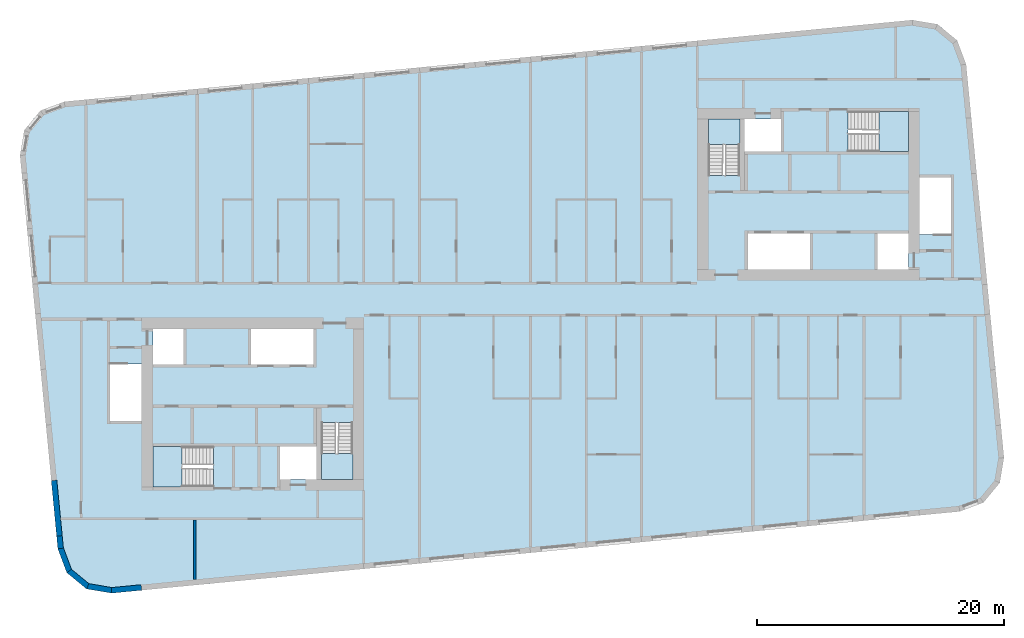
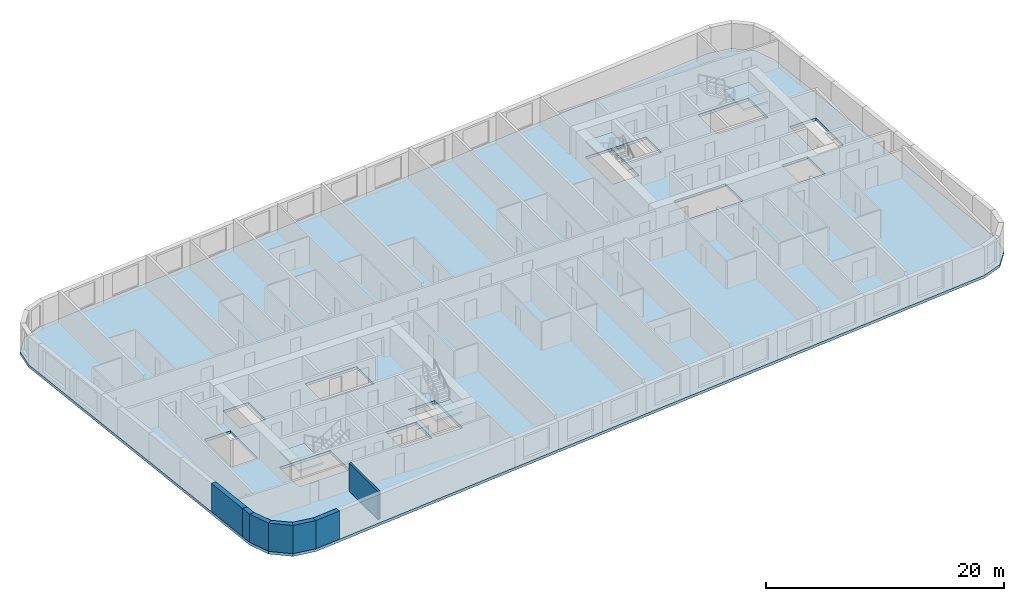
# One storey, part 1 of 11: 7 walls, 5 slabs, 4 elements without a shape of their own.
"""IFC4 building model written with IfcOpenShell, lengths in metres."""

from ifc_helpers import new_model, si_unit, direction, frame, frame_2d, origin, place, context, subcontext, project, spatial, polyline, rectangle, outline, extrude, material, layer, layer_set, type_object, element, aggregate, save


model = new_model("IFC4")

# Units and contexts
model_context = context("Model", 3, precision=1e-05, world=origin(), true_north=direction((0.0, 1.0)))
body_context = subcontext(model_context, "Body", "Model", "MODEL_VIEW")
ifc_project = project(units=[si_unit("LENGTHUNIT", "METRE"), si_unit("AREAUNIT", "SQUARE_METRE"), si_unit("VOLUMEUNIT", "CUBIC_METRE"), si_unit("PLANEANGLEUNIT", "RADIAN"), si_unit("MASSUNIT", "GRAM", prefix="KILO")], contexts=[model_context])

# Site, building, storey
site_placement = place(None, origin())
site = spatial("IfcSite", under=ifc_project, at=site_placement, CompositionType="ELEMENT")
building_placement = place(site_placement, origin())
building = spatial("IfcBuilding", under=site, at=building_placement, Name="Kajstack Hotel Tower", CompositionType="ELEMENT")
storey_placement = place(building_placement, frame((0.0, 0.0, 304.800048828125)))
storey = spatial("IfcBuildingStorey", under=building, at=storey_placement, Name="L77", CompositionType="ELEMENT", Elevation=304.800048828125)

# Slab
ifc_material_1 = material(Name="Concrete C40/50", Category="concrete")
ifc_layer_1 = layer(ifc_material_1, 0.280029296875)
ifc_layer_set_1 = layer_set([ifc_layer_1], Name="RC slab 280 C40/50 guest")
slab_type_1 = type_object("IfcSlabType", Name="RC slab 280 C40/50 guest", PredefinedType="FLOOR", material=ifc_layer_set_1)
slab_1_placement = place(storey_placement, frame((0.0, 0.0, -0.280029296875)))
element("IfcSlab", 1, at=slab_1_placement, inside=storey, type_object=slab_type_1, Name="S-slab-L77", PredefinedType="FLOOR", context=body_context, shape_type="SweptSolid", body=[
    extrude(outline(polyline([(-41.356201171875, 11.63623046875), (-38.289306640625, -20.21630859375), (-37.564208984375, -22.15576171875), (-35.96630859375, -23.472900390625), (-33.92431640625, -23.814697265625), (34.758056640625, -17.201171875), (36.697509765625, -16.47607421875), (38.014404296875, -14.87841796875), (38.356201171875, -12.836181640625), (35.289306640625, 19.016357421875), (34.564208984375, 20.955810546875), (32.96630859375, 22.27294921875), (30.92431640625, 22.614501953125), (-37.758056640625, 16.001220703125), (-39.697509765625, 15.276123046875), (-41.014404296875, 13.678466796875), (-41.356201171875, 11.63623046875)]), holes=[polyline([(-22.64990234375, -5.300048828125), (-22.64990234375, -2.39990234375), (-17.60009765625, -2.39990234375), (-17.60009765625, -5.300048828125), (-22.64990234375, -5.300048828125)]), polyline([(-20.300048828125, -14.60009765625), (-17.35009765625, -14.60009765625), (-17.35009765625, -11.949951171875), (-20.300048828125, -11.949951171875), (-20.300048828125, -14.60009765625)]), polyline([(-30.60009765625, -5.300048828125), (-28.10009765625, -5.300048828125), (-28.10009765625, -2.39990234375), (-30.60009765625, -2.39990234375), (-30.60009765625, -5.300048828125)]), polyline([(17.60009765625, 2.39990234375), (17.60009765625, 5.300048828125), (22.64990234375, 5.300048828125), (22.64990234375, 2.39990234375), (17.60009765625, 2.39990234375)]), polyline([(20.300048828125, 14.60009765625), (17.35009765625, 14.60009765625), (17.35009765625, 11.949951171875), (20.300048828125, 11.949951171875), (20.300048828125, 14.60009765625)]), polyline([(30.60009765625, 5.300048828125), (28.10009765625, 5.300048828125), (28.10009765625, 2.39990234375), (30.60009765625, 2.39990234375), (30.60009765625, 5.300048828125)]), polyline([(-34.050048828125, -9.85009765625), (-31.5, -9.85009765625), (-31.5, -5.25), (-34.050048828125, -5.25), (-34.050048828125, -9.85009765625)]), polyline([(-16.949951171875, -14.60009765625), (-14.39990234375, -14.60009765625), (-14.39990234375, -10.0), (-16.949951171875, -10.0), (-16.949951171875, -14.60009765625)]), polyline([(-30.60009765625, -15.199951171875), (-25.699951171875, -15.199951171875), (-25.699951171875, -11.949951171875), (-30.60009765625, -11.949951171875), (-30.60009765625, -15.199951171875)]), polyline([(34.050048828125, 9.85009765625), (31.5, 9.85009765625), (31.5, 5.25), (34.050048828125, 5.25), (34.050048828125, 9.85009765625)]), polyline([(16.949951171875, 14.60009765625), (14.39990234375, 14.60009765625), (14.39990234375, 10.0), (16.949951171875, 10.0), (16.949951171875, 14.60009765625)]), polyline([(30.60009765625, 15.199951171875), (25.699951171875, 15.199951171875), (25.699951171875, 11.949951171875), (30.60009765625, 11.949951171875), (30.60009765625, 15.199951171875)])]), origin(), (0.0, 0.0, 1.0), 0.280029296875),
])

# Stair, slab
stair_type_1 = type_object("IfcStairType", Name="Exit stair 1200", PredefinedType="HALF_TURN_STAIR", material=ifc_material_1)
stair_1_placement = place(storey_placement, origin())
stair_1 = element("IfcStair", 2, at=stair_1_placement, inside=storey, type_object=stair_type_1, Name="L77 stair W2", PredefinedType="HALF_TURN_STAIR")
ifc_layer_2 = layer(ifc_material_1, 0.199951171875)
ifc_layer_set_2 = layer_set([ifc_layer_2], Name="Stair landing 200")
slab_type_2 = type_object("IfcSlabType", Name="Stair landing 200", PredefinedType="LANDING", material=ifc_layer_set_2)
slab_2_placement = place(storey_placement, frame((0.0, 0.0, 1.449951171875)))
slab_2 = element("IfcSlab", 3, at=slab_2_placement, type_object=slab_type_2, Name="W2 landing 1", PredefinedType="LANDING", context=body_context, shape_type="SweptSolid", body=[
    extrude(outline(polyline([(-16.949951171875, -12.52001953125), (-16.949951171875, -14.60009765625), (-14.39990234375, -14.60009765625), (-14.39990234375, -12.52001953125), (-16.949951171875, -12.52001953125)])), origin(), (0.0, 0.0, 1.0), 0.199951171875),
])
aggregate(stair_1, [slab_2])

stair_type_2 = type_object("IfcStairType", Name="Exit stair 1500", PredefinedType="HALF_TURN_STAIR", material=ifc_material_1)
stair_2_placement = place(storey_placement, origin())
stair_2 = element("IfcStair", 4, at=stair_2_placement, inside=storey, type_object=stair_type_2, Name="L77 stair W3", PredefinedType="HALF_TURN_STAIR")
slab_3_placement = place(storey_placement, frame((0.0, 0.0, 1.449951171875)))
slab_3 = element("IfcSlab", 5, at=slab_3_placement, type_object=slab_type_2, Name="W3 landing 1", PredefinedType="LANDING", context=body_context, shape_type="SweptSolid", body=[
    extrude(outline(polyline([(-28.219970703125, -11.949951171875), (-30.60009765625, -11.949951171875), (-30.60009765625, -15.199951171875), (-28.219970703125, -15.199951171875), (-28.219970703125, -11.949951171875)])), origin(), (0.0, 0.0, 1.0), 0.199951171875),
])
aggregate(stair_2, [slab_3])

stair_3_placement = place(storey_placement, origin())
stair_3 = element("IfcStair", 6, at=stair_3_placement, inside=storey, type_object=stair_type_1, Name="L77 stair E2", PredefinedType="HALF_TURN_STAIR")
slab_4_placement = place(storey_placement, frame((0.0, 0.0, 1.449951171875)))
slab_4 = element("IfcSlab", 7, at=slab_4_placement, type_object=slab_type_2, Name="E2 landing 1", PredefinedType="LANDING", context=body_context, shape_type="SweptSolid", body=[
    extrude(outline(polyline([(16.949951171875, 12.52001953125), (16.949951171875, 14.60009765625), (14.39990234375, 14.60009765625), (14.39990234375, 12.52001953125), (16.949951171875, 12.52001953125)])), origin(), (0.0, 0.0, 1.0), 0.199951171875),
])
aggregate(stair_3, [slab_4])

stair_4_placement = place(storey_placement, origin())
stair_4 = element("IfcStair", 8, at=stair_4_placement, inside=storey, type_object=stair_type_2, Name="L77 stair E3", PredefinedType="HALF_TURN_STAIR")
slab_5_placement = place(storey_placement, frame((0.0, 0.0, 1.449951171875)))
slab_5 = element("IfcSlab", 9, at=slab_5_placement, type_object=slab_type_2, Name="E3 landing 1", PredefinedType="LANDING", context=body_context, shape_type="SweptSolid", body=[
    extrude(outline(polyline([(28.219970703125, 11.949951171875), (30.60009765625, 11.949951171875), (30.60009765625, 15.199951171875), (28.219970703125, 15.199951171875), (28.219970703125, 11.949951171875)])), origin(), (0.0, 0.0, 1.0), 0.199951171875),
])
aggregate(stair_4, [slab_5])

# Walls
ifc_layer_3 = layer(ifc_material_1, 0.449951171875)
ifc_layer_set_3 = layer_set([ifc_layer_3], Name="EW-CORE")
wall_type_1 = type_object("IfcWallType", Name="EW-CORE", PredefinedType="SOLIDWALL", material=ifc_layer_set_3)
wall_1_placement = place(storey_placement, frame((-38.596435546875, -14.678466796875, 0.0), z_axis=(0.0, 0.0, 1.0), x_axis=(0.095856468129, -0.995395166513, 0.0)))
element("IfcWall", 10, at=wall_1_placement, inside=storey, type_object=wall_type_1, Name="E-wall-L77-00-07", PredefinedType="SOLIDWALL", context=body_context, shape_type="SweptSolid", body=[
    extrude(rectangle(XDim=4.520751953125, YDim=0.449951171875, at=frame_2d((2.26025390625, 0.0))), origin(), (0.0, 0.0, 1.0), 2.89990234375),
])
wall_2_placement = place(storey_placement, frame((-38.1630859375, -19.178466796875, 0.0), z_axis=(0.0, 0.0, 1.0), x_axis=(0.095880978894, -0.995392805824, 0.0)))
element("IfcWall", 11, at=wall_2_placement, inside=storey, type_object=wall_type_1, Name="E-wall-L77-00-08", PredefinedType="SOLIDWALL", context=body_context, shape_type="SweptSolid", body=[
    extrude(rectangle(XDim=1.02099609375, YDim=0.449951171875, at=frame_2d((0.510498046875, 0.0))), origin(), (0.0, 0.0, 1.0), 2.89990234375),
])
wall_3_placement = place(storey_placement, frame((-38.078369140625, -20.1376953125, 0.0), z_axis=(0.0, 0.0, 1.0), x_axis=(0.350231589928, -0.936663137642, 0.0)))
element("IfcWall", 12, at=wall_3_placement, inside=storey, type_object=wall_type_1, Name="E-wall-L77-01-00", PredefinedType="SOLIDWALL", context=body_context, shape_type="SweptSolid", body=[
    extrude(outline(polyline([(0.0, -0.22509765625), (2.0703125, -0.22509765625), (1.949951171875, 0.224853515625), (0.120361328125, 0.224853515625), (0.0, -0.22509765625)])), origin(), (0.0, 0.0, 1.0), 2.89990234375),
])
wall_4_placement = place(storey_placement, frame((-37.4208984375, -21.982177734375, 0.0), z_axis=(0.0, 0.0, 1.0), x_axis=(0.771593176315, -0.636116318187, 0.0)))
element("IfcWall", 13, at=wall_4_placement, inside=storey, type_object=wall_type_1, Name="E-wall-L77-02-00", PredefinedType="SOLIDWALL", context=body_context, shape_type="SweptSolid", body=[
    extrude(outline(polyline([(0.0, -0.22509765625), (2.070556640625, -0.22509765625), (1.949951171875, 0.22509765625), (0.12060546875, 0.224853515625), (0.0, -0.22509765625)])), origin(), (0.0, 0.0, 1.0), 2.89990234375),
])
wall_5_placement = place(storey_placement, frame((-35.92919921875, -23.2509765625, 0.0), z_axis=(0.0, 0.0, 1.0), x_axis=(0.986278951104, -0.165087342366, 0.0)))
element("IfcWall", 14, at=wall_5_placement, inside=storey, type_object=wall_type_1, Name="E-wall-L77-03-00", PredefinedType="SOLIDWALL", context=body_context, shape_type="SweptSolid", body=[
    extrude(outline(polyline([(0.0, -0.22509765625), (2.070556640625, -0.224853515625), (1.949951171875, 0.22509765625), (0.12060546875, 0.22509765625), (0.0, -0.22509765625)])), origin(), (0.0, 0.0, 1.0), 2.89990234375),
])
wall_6_placement = place(storey_placement, frame((-33.94580078125, -23.590576171875, 0.0), z_axis=(0.0, 0.0, 1.0), x_axis=(0.995397635156, 0.095830829729, 0.0)))
element("IfcWall", 15, at=wall_6_placement, inside=storey, type_object=wall_type_1, Name="E-wall-L77-04-00", PredefinedType="SOLIDWALL", context=body_context, shape_type="SweptSolid", body=[
    extrude(rectangle(XDim=2.435546875, YDim=0.449951171875, at=frame_2d((1.2177734375, 0.0))), origin(), (0.0, 0.0, 1.0), 2.89990234375),
])
ifc_material_2 = material(Name="Gypsum board on steel studs, mineral wool", Category="steel")
ifc_layer_4 = layer(ifc_material_2, 0.199951171875)
ifc_layer_set_4 = layer_set([ifc_layer_4], Name="Service partition 200")
wall_type_2 = type_object("IfcWallType", Name="Service partition 200", PredefinedType="PARTITIONING", material=ifc_layer_set_4)
wall_7_placement = place(storey_placement, frame((-27.199951171875, -22.716064453125, 0.0), z_axis=(0.0, 0.0, 1.0), x_axis=(0.0, 1.0, 0.0)))
element("IfcWall", 16, at=wall_7_placement, inside=storey, type_object=wall_type_2, Name="Partition W SLP0", PredefinedType="PARTITIONING", context=body_context, shape_type="SweptSolid", body=[
    extrude(rectangle(XDim=4.816162109375, YDim=0.199951171875, at=frame_2d((2.408203125, 0.0))), origin(), (0.0, 0.0, 1.0), 2.89990234375),
])

save(model, "model.ifc")
